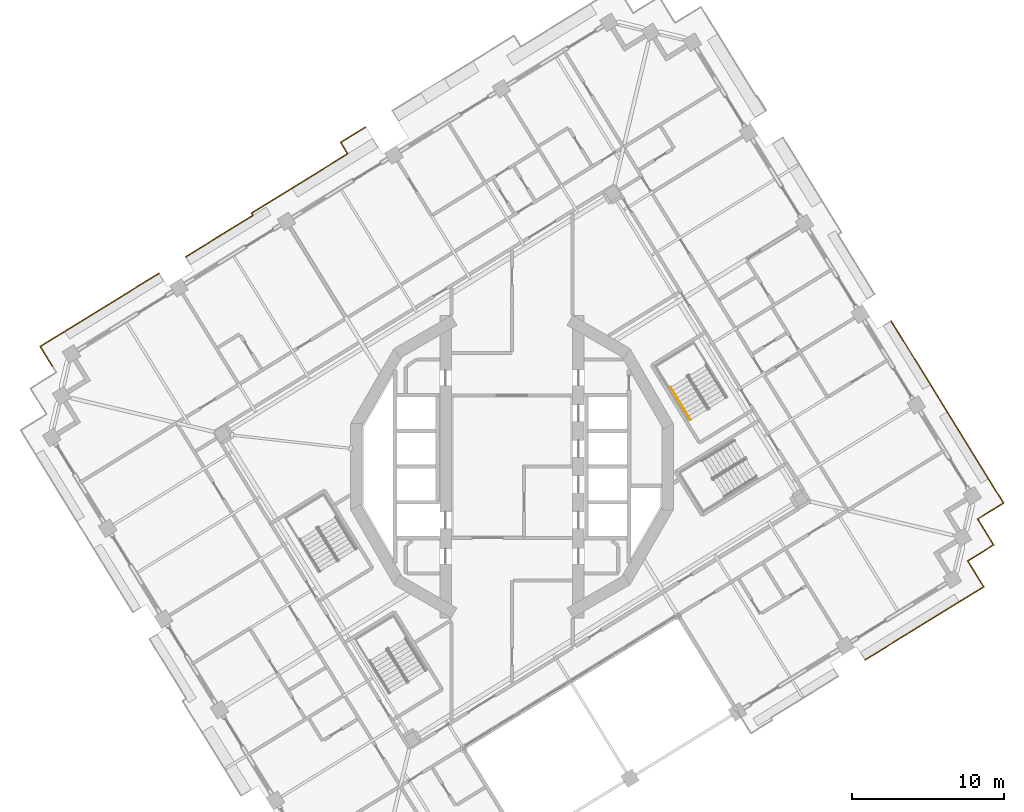
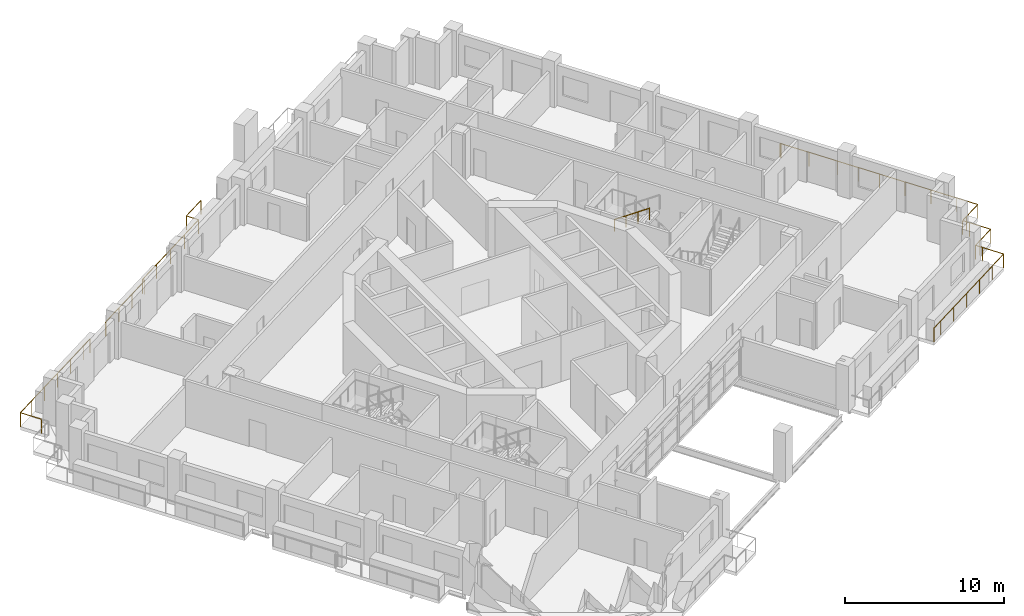
# One storey, part 19 of 22: 5 railings.
"""IFC4 building model written with IfcOpenShell, lengths in metres."""

from ifc_helpers import new_model, si_unit, direction, frame, origin, origin_2d, place, context, subcontext, project, spatial, circle, extrude, material, type_object, element, save


model = new_model("IFC4")

# Units and contexts
model_context = context("Model", 3, precision=1e-05, world=origin(), true_north=direction((0.0, 1.0)))
body_context = subcontext(model_context, "Body", "Model", "MODEL_VIEW")
ifc_project = project(units=[si_unit("LENGTHUNIT", "METRE"), si_unit("AREAUNIT", "SQUARE_METRE"), si_unit("VOLUMEUNIT", "CUBIC_METRE"), si_unit("PLANEANGLEUNIT", "RADIAN"), si_unit("MASSUNIT", "GRAM", prefix="KILO")], contexts=[model_context])

# Site, building, storey
site_placement = place(None, origin())
site = spatial("IfcSite", under=ifc_project, at=site_placement, CompositionType="ELEMENT")
building_placement = place(site_placement, origin())
building = spatial("IfcBuilding", under=site, at=building_placement, Name="Cantera Rosa Tower", CompositionType="ELEMENT")
storey_placement = place(building_placement, frame((0.0, 0.0, 178.0)))
storey = spatial("IfcBuildingStorey", under=building, at=storey_placement, Name="L39", CompositionType="ELEMENT", Elevation=178.0)

# Railings
ifc_material_1 = material(Name="Stainless steel and laminated glass", Category="steel")
railing_type_1 = type_object("IfcRailingType", Name="GUARD 1100", PredefinedType="BALUSTRADE", material=ifc_material_1)
railing_1_placement = place(storey_placement, frame((-30.293212890625, 6.634521484375, 0.0)))
element("IfcRailing", 1, at=railing_1_placement, inside=storey, type_object=railing_type_1, Name="GUARD L39-5", PredefinedType="BALUSTRADE", context=body_context, shape_type="SweptSolid", body=[
    extrude(circle(Radius=0.030029296875, at=origin_2d()), frame((0.0, 0.0, 1.070068359375), z_axis=(-0.524869051004, 0.85118298814, 0.0), x_axis=(-0.85118298814, -0.524869051004, 0.0)), (0.0, 0.0, 1.0), 1.5),
    extrude(circle(Radius=0.030029296875, at=origin_2d()), frame((-0.787353515625, 1.27685546875, 1.070068359375), z_axis=(0.851138143202, 0.52494176933, 0.0), x_axis=(-0.52494176933, 0.851138143202, 0.0)), (0.0, 0.0, 1.0), 1.5),
    extrude(circle(Radius=0.030029296875, at=origin_2d()), frame((0.4892578125, 2.064208984375, 1.070068359375), z_axis=(0.851120753703, 0.524969963537, 0.0), x_axis=(-0.524969963537, 0.851120753703, 0.0)), (0.0, 0.0, 1.0), 6.820068359375),
    extrude(circle(Radius=0.030029296875, at=origin_2d()), frame((6.2939453125, 5.64453125, 1.070068359375), z_axis=(0.851089370259, 0.525020841331, 0.0), x_axis=(-0.525020841331, 0.851089370259, 0.0)), (0.0, 0.0, 1.0), 0.8701171875),
    extrude(circle(Radius=0.02490234375, at=origin_2d()), origin(), (0.0, 0.0, 1.0), 1.0400390625),
    extrude(circle(Radius=0.02490234375, at=origin_2d()), frame((-0.787353515625, 1.27685546875, 0.0)), (0.0, 0.0, 1.0), 1.0400390625),
    extrude(circle(Radius=0.02490234375, at=origin_2d()), frame((0.4892578125, 2.064208984375, 0.0)), (0.0, 0.0, 1.0), 1.0400390625),
    extrude(circle(Radius=0.02490234375, at=origin_2d()), frame((1.9404296875, 2.959228515625, 0.0)), (0.0, 0.0, 1.0), 1.0400390625),
    extrude(circle(Radius=0.02490234375, at=origin_2d()), frame((3.3916015625, 3.8544921875, 0.0)), (0.0, 0.0, 1.0), 1.0400390625),
    extrude(circle(Radius=0.02490234375, at=origin_2d()), frame((4.8427734375, 4.74951171875, 0.0)), (0.0, 0.0, 1.0), 1.0400390625),
    extrude(circle(Radius=0.02490234375, at=origin_2d()), frame((6.2939453125, 5.64453125, 0.0)), (0.0, 0.0, 1.0), 1.0400390625),
    extrude(circle(Radius=0.02490234375, at=origin_2d()), frame((7.034423828125, 6.101318359375, 0.0)), (0.0, 0.0, 1.0), 1.0400390625),
])
railing_2_placement = place(storey_placement, frame((-21.505615234375, 13.817138671875, 0.0)))
element("IfcRailing", 2, at=railing_2_placement, inside=storey, type_object=railing_type_1, Name="GUARD L39-7", PredefinedType="BALUSTRADE", context=body_context, shape_type="SweptSolid", body=[
    extrude(circle(Radius=0.030029296875, at=origin_2d()), frame((0.0, 0.0, 1.070068359375), z_axis=(0.850339408664, 0.52623463405, 0.0), x_axis=(-0.52623463405, 0.850339408664, 0.0)), (0.0, 0.0, 1.0), 0.070068359375),
    extrude(circle(Radius=0.030029296875, at=origin_2d()), frame((0.0595703125, 0.036865234375, 1.070068359375), z_axis=(0.85112174284, 0.52496835987, 0.0), x_axis=(-0.52496835987, 0.85112174284, 0.0)), (0.0, 0.0, 1.0), 5.14404296875),
    extrude(circle(Radius=0.030029296875, at=origin_2d()), frame((4.437744140625, 2.7373046875, 1.070068359375), z_axis=(-0.525256814591, 0.850943757675, 0.0), x_axis=(-0.850943757675, -0.525256814591, 0.0)), (0.0, 0.0, 1.0), 0.17626953125),
    extrude(circle(Radius=0.030029296875, at=origin_2d()), frame((4.34521484375, 2.88720703125, 1.070068359375), z_axis=(0.851123002041, 0.524966318344, 0.0), x_axis=(-0.524966318344, 0.851123002041, 0.0)), (0.0, 0.0, 1.0), 7.444091796875),
    extrude(circle(Radius=0.030029296875, at=origin_2d()), frame((10.68115234375, 6.795166015625, 1.070068359375), z_axis=(-0.524952661105, 0.851131425573, 0.0), x_axis=(-0.851131425573, -0.524952661105, 0.0)), (0.0, 0.0, 1.0), 0.875732421875),
    extrude(circle(Radius=0.030029296875, at=origin_2d()), frame((10.221435546875, 7.54052734375, 1.070068359375), z_axis=(0.851095190476, 0.525011406304, 0.0), x_axis=(-0.525011406304, 0.851095190476, 0.0)), (0.0, 0.0, 1.0), 1.921875),
    extrude(circle(Radius=0.02490234375, at=origin_2d()), origin(), (0.0, 0.0, 1.0), 1.0400390625),
    extrude(circle(Radius=0.02490234375, at=origin_2d()), frame((0.0595703125, 0.036865234375, 0.0)), (0.0, 0.0, 1.0), 1.0400390625),
    extrude(circle(Radius=0.02490234375, at=origin_2d()), frame((1.51904296875, 0.93701171875, 0.0)), (0.0, 0.0, 1.0), 1.0400390625),
    extrude(circle(Radius=0.02490234375, at=origin_2d()), frame((2.978271484375, 1.837158203125, 0.0)), (0.0, 0.0, 1.0), 1.0400390625),
    extrude(circle(Radius=0.02490234375, at=origin_2d()), frame((4.437744140625, 2.7373046875, 0.0)), (0.0, 0.0, 1.0), 1.0400390625),
    extrude(circle(Radius=0.02490234375, at=origin_2d()), frame((4.34521484375, 2.88720703125, 0.0)), (0.0, 0.0, 1.0), 1.0400390625),
    extrude(circle(Radius=0.02490234375, at=origin_2d()), frame((5.92919921875, 3.8642578125, 0.0)), (0.0, 0.0, 1.0), 1.0400390625),
    extrude(circle(Radius=0.02490234375, at=origin_2d()), frame((7.51318359375, 4.84130859375, 0.0)), (0.0, 0.0, 1.0), 1.0400390625),
    extrude(circle(Radius=0.02490234375, at=origin_2d()), frame((9.09716796875, 5.818115234375, 0.0)), (0.0, 0.0, 1.0), 1.0400390625),
    extrude(circle(Radius=0.02490234375, at=origin_2d()), frame((10.68115234375, 6.795166015625, 0.0)), (0.0, 0.0, 1.0), 1.0400390625),
    extrude(circle(Radius=0.02490234375, at=origin_2d()), frame((10.221435546875, 7.54052734375, 0.0)), (0.0, 0.0, 1.0), 1.0400390625),
    extrude(circle(Radius=0.02490234375, at=origin_2d()), frame((11.857177734375, 8.549560546875, 0.0)), (0.0, 0.0, 1.0), 1.0400390625),
])
railing_3_placement = place(storey_placement, frame((30.293212890625, -6.634521484375, 0.0)))
element("IfcRailing", 3, at=railing_3_placement, inside=storey, type_object=railing_type_1, Name="GUARD L39-10", PredefinedType="BALUSTRADE", context=body_context, shape_type="SweptSolid", body=[
    extrude(circle(Radius=0.030029296875, at=origin_2d()), frame((0.0, 0.0, 1.070068359375), z_axis=(0.524869051004, -0.85118298814, 0.0), x_axis=(0.85118298814, 0.524869051004, 0.0)), (0.0, 0.0, 1.0), 1.5),
    extrude(circle(Radius=0.030029296875, at=origin_2d()), frame((0.787353515625, -1.27685546875, 1.070068359375), z_axis=(-0.851138143202, -0.52494176933, 0.0), x_axis=(0.52494176933, -0.851138143202, 0.0)), (0.0, 0.0, 1.0), 1.5),
    extrude(circle(Radius=0.030029296875, at=origin_2d()), frame((-0.4892578125, -2.064208984375, 1.070068359375), z_axis=(-0.851120753703, -0.524969963537, 0.0), x_axis=(0.524969963537, -0.851120753703, 0.0)), (0.0, 0.0, 1.0), 6.820068359375),
    extrude(circle(Radius=0.030029296875, at=origin_2d()), frame((-6.2939453125, -5.64453125, 1.070068359375), z_axis=(-0.851089370259, -0.525020841331, 0.0), x_axis=(0.525020841331, -0.851089370259, 0.0)), (0.0, 0.0, 1.0), 0.8701171875),
    extrude(circle(Radius=0.02490234375, at=origin_2d()), origin(), (0.0, 0.0, 1.0), 1.0400390625),
    extrude(circle(Radius=0.02490234375, at=origin_2d()), frame((0.787353515625, -1.27685546875, 0.0)), (0.0, 0.0, 1.0), 1.0400390625),
    extrude(circle(Radius=0.02490234375, at=origin_2d()), frame((-0.4892578125, -2.064208984375, 0.0)), (0.0, 0.0, 1.0), 1.0400390625),
    extrude(circle(Radius=0.02490234375, at=origin_2d()), frame((-1.9404296875, -2.959228515625, 0.0)), (0.0, 0.0, 1.0), 1.0400390625),
    extrude(circle(Radius=0.02490234375, at=origin_2d()), frame((-3.3916015625, -3.8544921875, 0.0)), (0.0, 0.0, 1.0), 1.0400390625),
    extrude(circle(Radius=0.02490234375, at=origin_2d()), frame((-4.8427734375, -4.74951171875, 0.0)), (0.0, 0.0, 1.0), 1.0400390625),
    extrude(circle(Radius=0.02490234375, at=origin_2d()), frame((-6.2939453125, -5.64453125, 0.0)), (0.0, 0.0, 1.0), 1.0400390625),
    extrude(circle(Radius=0.02490234375, at=origin_2d()), frame((-7.034423828125, -6.101318359375, 0.0)), (0.0, 0.0, 1.0), 1.0400390625),
])
railing_4_placement = place(storey_placement, frame((24.977783203125, 9.602294921875, 0.0)))
element("IfcRailing", 4, at=railing_4_placement, inside=storey, type_object=railing_type_1, Name="GUARD L39-11", PredefinedType="BALUSTRADE", context=body_context, shape_type="SweptSolid", body=[
    extrude(circle(Radius=0.030029296875, at=origin_2d()), frame((0.0, 0.0, 1.070068359375), z_axis=(0.523707774199, -0.851897979364, 0.0), x_axis=(0.851897979364, 0.523707774199, 0.0)), (0.0, 0.0, 1.0), 0.06982421875),
    extrude(circle(Radius=0.030029296875, at=origin_2d()), frame((0.03662109375, -0.0595703125, 1.070068359375), z_axis=(0.525022161202, -0.851088556054, 0.0), x_axis=(0.851088556054, 0.525022161202, 0.0)), (0.0, 0.0, 1.0), 4.02001953125),
    extrude(circle(Radius=0.030029296875, at=origin_2d()), frame((2.147216796875, -3.48095703125, 1.070068359375), z_axis=(0.524964362564, -0.851124208349, 0.0), x_axis=(0.851124208349, 0.524964362564, 0.0)), (0.0, 0.0, 1.0), 3.0),
    extrude(circle(Radius=0.030029296875, at=origin_2d()), frame((3.72216796875, -6.034423828125, 1.070068359375), z_axis=(0.524968277683, -0.851121793533, 0.0), x_axis=(0.851121793533, 0.524968277683, 0.0)), (0.0, 0.0, 1.0), 5.519775390625),
    extrude(circle(Radius=0.030029296875, at=origin_2d()), frame((6.619873046875, -10.732421875, 1.070068359375), z_axis=(0.524986950369, -0.851110276017, 0.0), x_axis=(0.851110276017, 0.524986950369, 0.0)), (0.0, 0.0, 1.0), 1.500244140625),
    extrude(circle(Radius=0.030029296875, at=origin_2d()), frame((7.407470703125, -12.00927734375, 1.070068359375), z_axis=(-0.85118298814, -0.524869051004, 0.0), x_axis=(0.524869051004, -0.85118298814, 0.0)), (0.0, 0.0, 1.0), 1.5),
    extrude(circle(Radius=0.030029296875, at=origin_2d()), frame((6.130615234375, -12.796630859375, 1.070068359375), z_axis=(-0.851138143202, -0.52494176933, 0.0), x_axis=(0.52494176933, -0.851138143202, 0.0)), (0.0, 0.0, 1.0), 0.5),
    extrude(circle(Radius=0.030029296875, at=origin_2d()), frame((5.705078125, -13.05908203125, 1.070068359375), z_axis=(0.52494176933, -0.851138143202, 0.0), x_axis=(0.851138143202, 0.52494176933, 0.0)), (0.0, 0.0, 1.0), 0.5),
    extrude(circle(Radius=0.030029296875, at=origin_2d()), frame((5.967529296875, -13.484619140625, 1.070068359375), z_axis=(0.524986950369, -0.851110276017, 0.0), x_axis=(0.851110276017, 0.524986950369, 0.0)), (0.0, 0.0, 1.0), 1.500244140625),
    extrude(circle(Radius=0.030029296875, at=origin_2d()), frame((6.755126953125, -14.761474609375, 1.070068359375), z_axis=(-0.851138143202, -0.52494176933, 0.0), x_axis=(0.52494176933, -0.851138143202, 0.0)), (0.0, 0.0, 1.0), 1.5),
    extrude(circle(Radius=0.030029296875, at=origin_2d()), frame((5.478515625, -15.548828125, 1.070068359375), z_axis=(-0.851138143202, -0.52494176933, 0.0), x_axis=(0.52494176933, -0.851138143202, 0.0)), (0.0, 0.0, 1.0), 0.5),
    extrude(circle(Radius=0.030029296875, at=origin_2d()), frame((5.052978515625, -15.811279296875, 1.070068359375), z_axis=(0.52494176933, -0.851138143202, 0.0), x_axis=(0.851138143202, 0.52494176933, 0.0)), (0.0, 0.0, 1.0), 0.5),
    extrude(circle(Radius=0.02490234375, at=origin_2d()), origin(), (0.0, 0.0, 1.0), 1.0400390625),
    extrude(circle(Radius=0.02490234375, at=origin_2d()), frame((0.03662109375, -0.0595703125, 0.0)), (0.0, 0.0, 1.0), 1.0400390625),
    extrude(circle(Radius=0.02490234375, at=origin_2d()), frame((1.091796875, -1.770263671875, 0.0)), (0.0, 0.0, 1.0), 1.0400390625),
    extrude(circle(Radius=0.02490234375, at=origin_2d()), frame((2.147216796875, -3.48095703125, 0.0)), (0.0, 0.0, 1.0), 1.0400390625),
    extrude(circle(Radius=0.02490234375, at=origin_2d()), frame((2.9345703125, -4.7578125, 0.0)), (0.0, 0.0, 1.0), 1.0400390625),
    extrude(circle(Radius=0.02490234375, at=origin_2d()), frame((3.72216796875, -6.034423828125, 0.0)), (0.0, 0.0, 1.0), 1.0400390625),
    extrude(circle(Radius=0.02490234375, at=origin_2d()), frame((4.68798828125, -7.600341796875, 0.0)), (0.0, 0.0, 1.0), 1.0400390625),
    extrude(circle(Radius=0.02490234375, at=origin_2d()), frame((5.654052734375, -9.16650390625, 0.0)), (0.0, 0.0, 1.0), 1.0400390625),
    extrude(circle(Radius=0.02490234375, at=origin_2d()), frame((6.619873046875, -10.732421875, 0.0)), (0.0, 0.0, 1.0), 1.0400390625),
    extrude(circle(Radius=0.02490234375, at=origin_2d()), frame((7.407470703125, -12.00927734375, 0.0)), (0.0, 0.0, 1.0), 1.0400390625),
    extrude(circle(Radius=0.02490234375, at=origin_2d()), frame((6.130615234375, -12.796630859375, 0.0)), (0.0, 0.0, 1.0), 1.0400390625),
    extrude(circle(Radius=0.02490234375, at=origin_2d()), frame((5.705078125, -13.05908203125, 0.0)), (0.0, 0.0, 1.0), 1.0400390625),
    extrude(circle(Radius=0.02490234375, at=origin_2d()), frame((5.967529296875, -13.484619140625, 0.0)), (0.0, 0.0, 1.0), 1.0400390625),
    extrude(circle(Radius=0.02490234375, at=origin_2d()), frame((6.755126953125, -14.761474609375, 0.0)), (0.0, 0.0, 1.0), 1.0400390625),
    extrude(circle(Radius=0.02490234375, at=origin_2d()), frame((5.478515625, -15.548828125, 0.0)), (0.0, 0.0, 1.0), 1.0400390625),
    extrude(circle(Radius=0.02490234375, at=origin_2d()), frame((5.052978515625, -15.811279296875, 0.0)), (0.0, 0.0, 1.0), 1.0400390625),
    extrude(circle(Radius=0.02490234375, at=origin_2d()), frame((5.3154296875, -16.23681640625, 0.0)), (0.0, 0.0, 1.0), 1.0400390625),
])
ifc_material_2 = material(Name="Steel S355J2 (EN 10025-2)", Category="steel")
railing_type_2 = type_object("IfcRailingType", Name="STAIR HANDRAIL 900", PredefinedType="HANDRAIL", material=ifc_material_2)
railing_5_placement = place(storey_placement, frame((10.441650390625, 5.2314453125, 2.090087890625)))
element("IfcRailing", 5, at=railing_5_placement, inside=storey, type_object=railing_type_2, Name="L39 ST-31 stair handrail 2", PredefinedType="HANDRAIL", context=body_context, shape_type="SweptSolid", body=[
    extrude(circle(Radius=0.02392578125, at=origin_2d()), frame((0.0, 0.0, 0.8759765625), z_axis=(0.434427613125, -0.704271375033, 0.561493080334), x_axis=(0.851102330005, 0.524999832248, 0.0)), (0.0, 0.0, 1.0), 3.04541015625),
    extrude(circle(Radius=0.02099609375, at=origin_2d()), origin(), (0.0, 0.0, 1.0), 0.851806640625),
    extrude(circle(Radius=0.02099609375, at=origin_2d()), frame((0.44091796875, -0.71484375, 0.570068359375)), (0.0, 0.0, 1.0), 0.851806640625),
    extrude(circle(Radius=0.02099609375, at=origin_2d()), frame((0.882080078125, -1.429931640625, 1.139892578125)), (0.0, 0.0, 1.0), 0.851806640625),
    extrude(circle(Radius=0.02099609375, at=origin_2d()), frame((1.322998046875, -2.144775390625, 1.7099609375)), (0.0, 0.0, 1.0), 0.851806640625),
])

save(model, "model.ifc")
